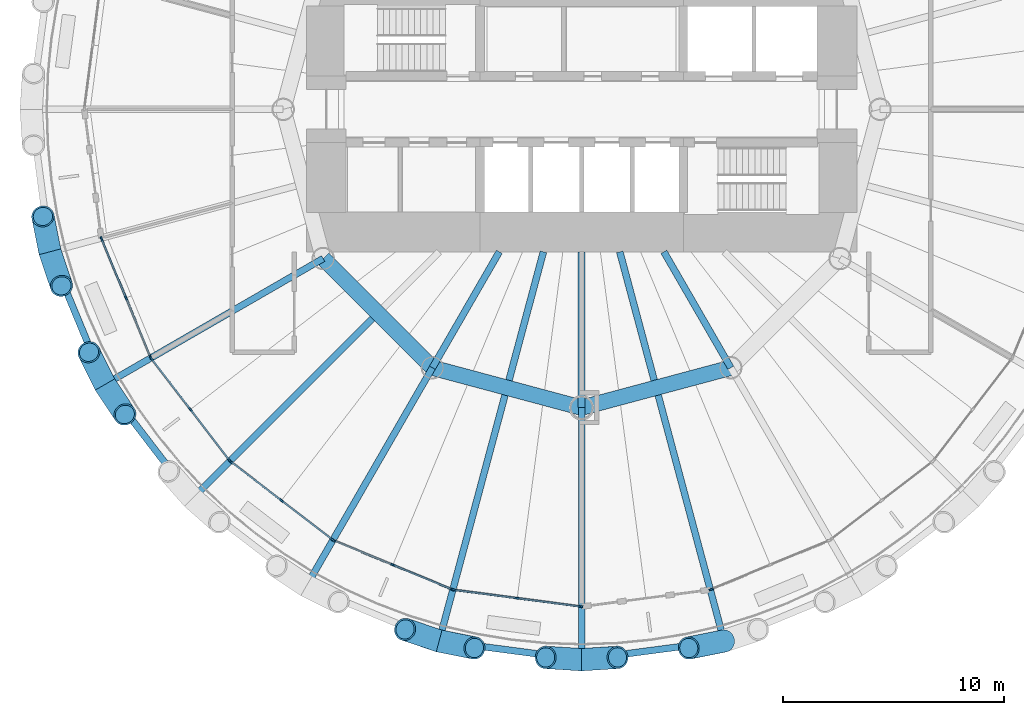
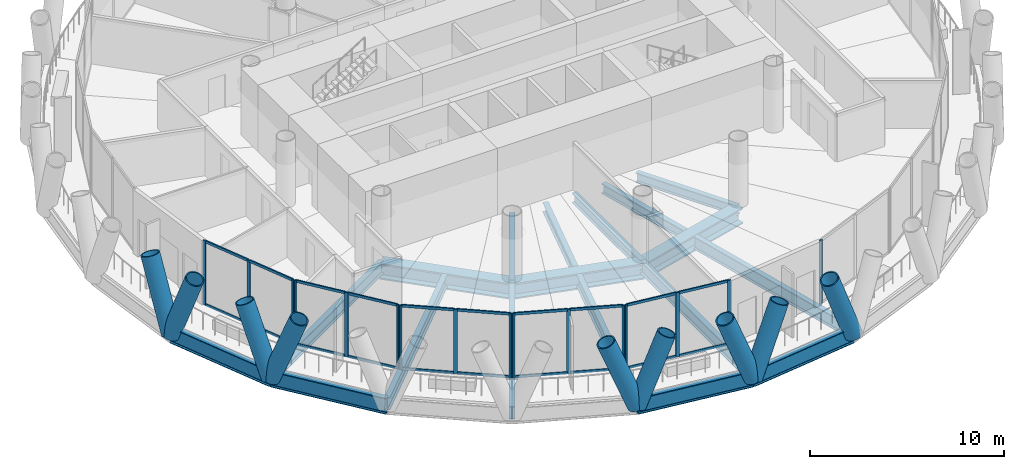
# One storey, part 2 of 15: 45 members, 18 beams, 6 elements without a shape of their own.
"""IFC4 building model written with IfcOpenShell, lengths in metres."""

from ifc_helpers import new_model, si_unit, direction, frame, origin, origin_2d, place, context, subcontext, project, spatial, rectangle, hollow_circle, i_section, extrude, material, material_profile, profile_set, type_object, element, aggregate, save


model = new_model("IFC4")

# Units and contexts
model_context = context("Model", 3, precision=1e-05, world=origin(), true_north=direction((0.0, 1.0)))
body_context = subcontext(model_context, "Body", "Model", "MODEL_VIEW")
ifc_project = project(units=[si_unit("LENGTHUNIT", "METRE"), si_unit("AREAUNIT", "SQUARE_METRE"), si_unit("VOLUMEUNIT", "CUBIC_METRE"), si_unit("PLANEANGLEUNIT", "RADIAN"), si_unit("MASSUNIT", "GRAM", prefix="KILO")], contexts=[model_context])

# Site, building, storey
site_placement = place(None, origin())
site = spatial("IfcSite", under=ifc_project, at=site_placement, CompositionType="ELEMENT")
building_placement = place(site_placement, origin())
building = spatial("IfcBuilding", under=site, at=building_placement, Name="Qaws Media Tower", CompositionType="ELEMENT")
storey_placement = place(building_placement, frame((0.0, 0.0, 143.60009765625)))
storey = spatial("IfcBuildingStorey", under=building, at=storey_placement, Name="L32", CompositionType="ELEMENT", Elevation=143.60009765625)

# Curtain wall, members
ifc_material_1 = material(Name="Aluminium and clear glass", Category="aluminium")
curtain_wall_type = type_object("IfcCurtainWallType", Name="Unitised curtain wall CW-B", PredefinedType="NOTDEFINED", material=ifc_material_1)
curtain_wall_1_placement = place(storey_placement, origin())
curtain_wall_1 = element("IfcCurtainWall", 1, at=curtain_wall_1_placement, inside=storey, type_object=curtain_wall_type, Name="CWB curtain wall L32-14", PredefinedType="NOTDEFINED")
ifc_material_2 = material(Name="Aluminium mullion", Category="aluminium")
ifc_material_profile_1 = material_profile(ifc_material_2, rectangle(XDim=0.080078125, YDim=0.199951171875, at=origin_2d()), Name="80x200")
ifc_profile_set_1 = profile_set([ifc_material_profile_1], Name="Aluminium mullion")
member_type_1 = type_object("IfcMemberType", Name="Curtain wall mullion 80x200", PredefinedType="MULLION", material=ifc_profile_set_1)
member_1_placement = place(storey_placement, frame((38.281982421875, 44.1396484375, 0.0), z_axis=(0.0, 0.0, 1.0), x_axis=(0.923879550892, 0.38268338799, 0.0)))
member_1 = element("IfcMember", 2, at=member_1_placement, type_object=member_type_1, Name="CWB mullion 1", PredefinedType="MULLION", context=body_context, shape_type="SweptSolid", body=[
    extrude(rectangle(XDim=0.080078125, YDim=0.199951171875, at=origin_2d()), origin(), (0.0, 0.0, 1.0), 4.039794921875),
])
member_2_placement = place(storey_placement, frame((39.390625, 41.46337890625, 0.0), z_axis=(0.0, 0.0, 1.0), x_axis=(0.923879550892, 0.38268338799, 0.0)))
member_2 = element("IfcMember", 3, at=member_2_placement, type_object=member_type_1, Name="CWB mullion 2", PredefinedType="MULLION", context=body_context, shape_type="SweptSolid", body=[
    extrude(rectangle(XDim=0.080078125, YDim=0.199951171875, at=origin_2d()), origin(), (0.0, 0.0, 1.0), 4.039794921875),
])
member_3_placement = place(storey_placement, frame((40.4990234375, 38.786865234375, 0.0), z_axis=(0.0, 0.0, 1.0), x_axis=(0.923879550892, 0.38268338799, 0.0)))
member_3 = element("IfcMember", 4, at=member_3_placement, type_object=member_type_1, Name="CWB mullion 3", PredefinedType="MULLION", context=body_context, shape_type="SweptSolid", body=[
    extrude(rectangle(XDim=0.080078125, YDim=0.199951171875, at=origin_2d()), origin(), (0.0, 0.0, 1.0), 4.039794921875),
])

curtain_wall_2_placement = place(storey_placement, origin())
curtain_wall_2 = element("IfcCurtainWall", 5, at=curtain_wall_2_placement, inside=storey, type_object=curtain_wall_type, Name="CWB curtain wall L32-15", PredefinedType="NOTDEFINED")
member_4_placement = place(storey_placement, frame((40.538818359375, 38.71826171875, 0.0), z_axis=(0.0, 0.0, 1.0), x_axis=(0.793353367693, 0.608761393298, 0.0)))
member_4 = element("IfcMember", 6, at=member_4_placement, type_object=member_type_1, Name="CWB mullion 1", PredefinedType="MULLION", context=body_context, shape_type="SweptSolid", body=[
    extrude(rectangle(XDim=0.080078125, YDim=0.199951171875, at=origin_2d()), origin(), (0.0, 0.0, 1.0), 4.039794921875),
])
member_5_placement = place(storey_placement, frame((42.30224609375, 36.420166015625, 0.0), z_axis=(0.0, 0.0, 1.0), x_axis=(0.793353367693, 0.608761393298, 0.0)))
member_5 = element("IfcMember", 7, at=member_5_placement, type_object=member_type_1, Name="CWB mullion 2", PredefinedType="MULLION", context=body_context, shape_type="SweptSolid", body=[
    extrude(rectangle(XDim=0.080078125, YDim=0.199951171875, at=origin_2d()), origin(), (0.0, 0.0, 1.0), 4.039794921875),
])
member_6_placement = place(storey_placement, frame((44.065673828125, 34.121826171875, 0.0), z_axis=(0.0, 0.0, 1.0), x_axis=(0.793353367693, 0.608761393298, 0.0)))
member_6 = element("IfcMember", 8, at=member_6_placement, type_object=member_type_1, Name="CWB mullion 3", PredefinedType="MULLION", context=body_context, shape_type="SweptSolid", body=[
    extrude(rectangle(XDim=0.080078125, YDim=0.199951171875, at=origin_2d()), origin(), (0.0, 0.0, 1.0), 4.039794921875),
])

curtain_wall_3_placement = place(storey_placement, origin())
curtain_wall_3 = element("IfcCurtainWall", 9, at=curtain_wall_3_placement, inside=storey, type_object=curtain_wall_type, Name="CWB curtain wall L32-16", PredefinedType="NOTDEFINED")
member_7_placement = place(storey_placement, frame((44.121826171875, 34.065673828125, 0.0), z_axis=(0.0, 0.0, 1.0), x_axis=(0.608761393298, 0.793353367693, 0.0)))
member_7 = element("IfcMember", 10, at=member_7_placement, type_object=member_type_1, Name="CWB mullion 1", PredefinedType="MULLION", context=body_context, shape_type="SweptSolid", body=[
    extrude(rectangle(XDim=0.080078125, YDim=0.199951171875, at=origin_2d()), origin(), (0.0, 0.0, 1.0), 4.039794921875),
])
member_8_placement = place(storey_placement, frame((46.420166015625, 32.30224609375, 0.0), z_axis=(0.0, 0.0, 1.0), x_axis=(0.608761393298, 0.793353367693, 0.0)))
member_8 = element("IfcMember", 11, at=member_8_placement, type_object=member_type_1, Name="CWB mullion 2", PredefinedType="MULLION", context=body_context, shape_type="SweptSolid", body=[
    extrude(rectangle(XDim=0.080078125, YDim=0.199951171875, at=origin_2d()), origin(), (0.0, 0.0, 1.0), 4.039794921875),
])
member_9_placement = place(storey_placement, frame((48.71826171875, 30.538818359375, 0.0), z_axis=(0.0, 0.0, 1.0), x_axis=(0.608761393298, 0.793353367693, 0.0)))
member_9 = element("IfcMember", 12, at=member_9_placement, type_object=member_type_1, Name="CWB mullion 3", PredefinedType="MULLION", context=body_context, shape_type="SweptSolid", body=[
    extrude(rectangle(XDim=0.080078125, YDim=0.199951171875, at=origin_2d()), origin(), (0.0, 0.0, 1.0), 4.039794921875),
])

curtain_wall_4_placement = place(storey_placement, origin())
curtain_wall_4 = element("IfcCurtainWall", 13, at=curtain_wall_4_placement, inside=storey, type_object=curtain_wall_type, Name="CWB curtain wall L32-17", PredefinedType="NOTDEFINED")
member_10_placement = place(storey_placement, frame((48.786865234375, 30.4990234375, 0.0), z_axis=(0.0, 0.0, 1.0), x_axis=(0.38268338799, 0.923879550892, 0.0)))
member_10 = element("IfcMember", 14, at=member_10_placement, type_object=member_type_1, Name="CWB mullion 1", PredefinedType="MULLION", context=body_context, shape_type="SweptSolid", body=[
    extrude(rectangle(XDim=0.080078125, YDim=0.199951171875, at=origin_2d()), origin(), (0.0, 0.0, 1.0), 4.039794921875),
])
member_11_placement = place(storey_placement, frame((51.46337890625, 29.390625, 0.0), z_axis=(0.0, 0.0, 1.0), x_axis=(0.38268338799, 0.923879550892, 0.0)))
member_11 = element("IfcMember", 15, at=member_11_placement, type_object=member_type_1, Name="CWB mullion 2", PredefinedType="MULLION", context=body_context, shape_type="SweptSolid", body=[
    extrude(rectangle(XDim=0.080078125, YDim=0.199951171875, at=origin_2d()), origin(), (0.0, 0.0, 1.0), 4.039794921875),
])
member_12_placement = place(storey_placement, frame((54.1396484375, 28.281982421875, 0.0), z_axis=(0.0, 0.0, 1.0), x_axis=(0.38268338799, 0.923879550892, 0.0)))
member_12 = element("IfcMember", 16, at=member_12_placement, type_object=member_type_1, Name="CWB mullion 3", PredefinedType="MULLION", context=body_context, shape_type="SweptSolid", body=[
    extrude(rectangle(XDim=0.080078125, YDim=0.199951171875, at=origin_2d()), origin(), (0.0, 0.0, 1.0), 4.039794921875),
])

curtain_wall_5_placement = place(storey_placement, origin())
curtain_wall_5 = element("IfcCurtainWall", 17, at=curtain_wall_5_placement, inside=storey, type_object=curtain_wall_type, Name="CWB curtain wall L32-18", PredefinedType="NOTDEFINED")
member_13_placement = place(storey_placement, frame((54.21630859375, 28.261474609375, 0.0), z_axis=(0.0, 0.0, 1.0), x_axis=(0.13052619684, 0.991444860766, 0.0)))
member_13 = element("IfcMember", 18, at=member_13_placement, type_object=member_type_1, Name="CWB mullion 1", PredefinedType="MULLION", context=body_context, shape_type="SweptSolid", body=[
    extrude(rectangle(XDim=0.080078125, YDim=0.199951171875, at=origin_2d()), origin(), (0.0, 0.0, 1.0), 4.039794921875),
])
member_14_placement = place(storey_placement, frame((57.08837890625, 27.88330078125, 0.0), z_axis=(0.0, 0.0, 1.0), x_axis=(0.13052619684, 0.991444860766, 0.0)))
member_14 = element("IfcMember", 19, at=member_14_placement, type_object=member_type_1, Name="CWB mullion 2", PredefinedType="MULLION", context=body_context, shape_type="SweptSolid", body=[
    extrude(rectangle(XDim=0.080078125, YDim=0.199951171875, at=origin_2d()), origin(), (0.0, 0.0, 1.0), 4.039794921875),
])
member_15_placement = place(storey_placement, frame((59.96044921875, 27.505126953125, 0.0), z_axis=(0.0, 0.0, 1.0), x_axis=(0.13052619684, 0.991444860766, 0.0)))
member_15 = element("IfcMember", 20, at=member_15_placement, type_object=member_type_1, Name="CWB mullion 3", PredefinedType="MULLION", context=body_context, shape_type="SweptSolid", body=[
    extrude(rectangle(XDim=0.080078125, YDim=0.199951171875, at=origin_2d()), origin(), (0.0, 0.0, 1.0), 4.039794921875),
])

# Curtain wall, member
curtain_wall_6_placement = place(storey_placement, origin())
curtain_wall_6 = element("IfcCurtainWall", 21, at=curtain_wall_6_placement, inside=storey, type_object=curtain_wall_type, Name="CWB curtain wall L32-20", PredefinedType="NOTDEFINED")
member_16_placement = place(storey_placement, frame((65.8603515625, 28.281982421875, 0.0), z_axis=(0.0, 0.0, 1.0), x_axis=(-0.38268338799, 0.923879550892, 0.0)))
member_16 = element("IfcMember", 22, at=member_16_placement, type_object=member_type_1, Name="CWB mullion 1", PredefinedType="MULLION", context=body_context, shape_type="SweptSolid", body=[
    extrude(rectangle(XDim=0.080078125, YDim=0.199951171875, at=origin_2d()), origin(), (0.0, 0.0, 1.0), 4.039794921875),
])
aggregate(curtain_wall_6, [member_16])

# Member
ifc_material_3 = material(Name="Aluminium transom", Category="aluminium")
ifc_material_profile_2 = material_profile(ifc_material_3, rectangle(XDim=0.080078125, YDim=0.159912109375, at=origin_2d()), Name="80x160")
ifc_profile_set_2 = profile_set([ifc_material_profile_2], Name="Aluminium transom")
member_type_2 = type_object("IfcMemberType", Name="Curtain wall transom 80x160", PredefinedType="USERDEFINED", material=ifc_profile_set_2)
member_17_placement = place(storey_placement, frame((38.29736328125, 44.1025390625, 0.039794921875), z_axis=(0.382675859369, -0.923882669313, 0.0), x_axis=(0.923882669313, 0.382675859369, 0.0)))
member_17 = element("IfcMember", 23, at=member_17_placement, type_object=member_type_2, Name="CWB transom 1.1", ObjectType="TRANSOM", PredefinedType="USERDEFINED", context=body_context, shape_type="SweptSolid", body=[
    extrude(rectangle(XDim=0.080078125, YDim=0.159912109375, at=origin_2d()), origin(), (0.0, 0.0, 1.0), 2.816650390625),
])

member_18_placement = place(storey_placement, frame((38.29736328125, 44.1025390625, 4.0), z_axis=(0.382675859369, -0.923882669313, 0.0), x_axis=(0.923882669313, 0.382675859369, 0.0)))
member_18 = element("IfcMember", 24, at=member_18_placement, type_object=member_type_2, Name="CWB transom 1.2", ObjectType="TRANSOM", PredefinedType="USERDEFINED", context=body_context, shape_type="SweptSolid", body=[
    extrude(rectangle(XDim=0.080078125, YDim=0.159912109375, at=origin_2d()), origin(), (0.0, 0.0, 1.0), 2.816650390625),
])

member_19_placement = place(storey_placement, frame((39.40576171875, 41.42626953125, 0.039794921875), z_axis=(0.382749839039, -0.92385202317, 0.0), x_axis=(0.92385202317, 0.382749839039, 0.0)))
member_19 = element("IfcMember", 25, at=member_19_placement, type_object=member_type_2, Name="CWB transom 2.1", ObjectType="TRANSOM", PredefinedType="USERDEFINED", context=body_context, shape_type="SweptSolid", body=[
    extrude(rectangle(XDim=0.080078125, YDim=0.159912109375, at=origin_2d()), origin(), (0.0, 0.0, 1.0), 2.81689453125),
])

member_20_placement = place(storey_placement, frame((39.40576171875, 41.42626953125, 4.0), z_axis=(0.382749839039, -0.92385202317, 0.0), x_axis=(0.92385202317, 0.382749839039, 0.0)))
member_20 = element("IfcMember", 26, at=member_20_placement, type_object=member_type_2, Name="CWB transom 2.2", ObjectType="TRANSOM", PredefinedType="USERDEFINED", context=body_context, shape_type="SweptSolid", body=[
    extrude(rectangle(XDim=0.080078125, YDim=0.159912109375, at=origin_2d()), origin(), (0.0, 0.0, 1.0), 2.81689453125),
])

aggregate(curtain_wall_1, [member_1, member_2, member_3, member_17, member_18, member_19, member_20])

member_21_placement = place(storey_placement, frame((40.563232421875, 38.6865234375, 0.039794921875), z_axis=(0.608742665806, -0.793367737451, 0.0), x_axis=(0.793367737451, 0.608742665806, 0.0)))
member_21 = element("IfcMember", 27, at=member_21_placement, type_object=member_type_2, Name="CWB transom 1.1", ObjectType="TRANSOM", PredefinedType="USERDEFINED", context=body_context, shape_type="SweptSolid", body=[
    extrude(rectangle(XDim=0.080078125, YDim=0.159912109375, at=origin_2d()), origin(), (0.0, 0.0, 1.0), 2.816650390625),
])

member_22_placement = place(storey_placement, frame((40.563232421875, 38.6865234375, 4.0), z_axis=(0.608742665806, -0.793367737451, 0.0), x_axis=(0.793367737451, 0.608742665806, 0.0)))
member_22 = element("IfcMember", 28, at=member_22_placement, type_object=member_type_2, Name="CWB transom 1.2", ObjectType="TRANSOM", PredefinedType="USERDEFINED", context=body_context, shape_type="SweptSolid", body=[
    extrude(rectangle(XDim=0.080078125, YDim=0.159912109375, at=origin_2d()), origin(), (0.0, 0.0, 1.0), 2.816650390625),
])

member_23_placement = place(storey_placement, frame((42.32666015625, 36.388427734375, 0.039794921875), z_axis=(0.608755360459, -0.793357996817, 0.0), x_axis=(0.793357996817, 0.608755360459, 0.0)))
member_23 = element("IfcMember", 29, at=member_23_placement, type_object=member_type_2, Name="CWB transom 2.1", ObjectType="TRANSOM", PredefinedType="USERDEFINED", context=body_context, shape_type="SweptSolid", body=[
    extrude(rectangle(XDim=0.080078125, YDim=0.159912109375, at=origin_2d()), origin(), (0.0, 0.0, 1.0), 2.81689453125),
])

member_24_placement = place(storey_placement, frame((42.32666015625, 36.388427734375, 4.0), z_axis=(0.608755360459, -0.793357996817, 0.0), x_axis=(0.793357996817, 0.608755360459, 0.0)))
member_24 = element("IfcMember", 30, at=member_24_placement, type_object=member_type_2, Name="CWB transom 2.2", ObjectType="TRANSOM", PredefinedType="USERDEFINED", context=body_context, shape_type="SweptSolid", body=[
    extrude(rectangle(XDim=0.080078125, YDim=0.159912109375, at=origin_2d()), origin(), (0.0, 0.0, 1.0), 2.81689453125),
])

aggregate(curtain_wall_2, [member_4, member_5, member_6, member_21, member_22, member_23, member_24])

member_25_placement = place(storey_placement, frame((44.153564453125, 34.04150390625, 0.039794921875), z_axis=(0.793357996817, -0.608755360459, 0.0), x_axis=(0.608755360459, 0.793357996817, 0.0)))
member_25 = element("IfcMember", 31, at=member_25_placement, type_object=member_type_2, Name="CWB transom 1.1", ObjectType="TRANSOM", PredefinedType="USERDEFINED", context=body_context, shape_type="SweptSolid", body=[
    extrude(rectangle(XDim=0.080078125, YDim=0.159912109375, at=origin_2d()), origin(), (0.0, 0.0, 1.0), 2.81689453125),
])

member_26_placement = place(storey_placement, frame((44.153564453125, 34.04150390625, 4.0), z_axis=(0.793357996817, -0.608755360459, 0.0), x_axis=(0.608755360459, 0.793357996817, 0.0)))
member_26 = element("IfcMember", 32, at=member_26_placement, type_object=member_type_2, Name="CWB transom 1.2", ObjectType="TRANSOM", PredefinedType="USERDEFINED", context=body_context, shape_type="SweptSolid", body=[
    extrude(rectangle(XDim=0.080078125, YDim=0.159912109375, at=origin_2d()), origin(), (0.0, 0.0, 1.0), 2.81689453125),
])

member_27_placement = place(storey_placement, frame((46.451904296875, 32.27783203125, 0.039794921875), z_axis=(0.793367737451, -0.608742665806, 0.0), x_axis=(0.608742665806, 0.793367737451, 0.0)))
member_27 = element("IfcMember", 33, at=member_27_placement, type_object=member_type_2, Name="CWB transom 2.1", ObjectType="TRANSOM", PredefinedType="USERDEFINED", context=body_context, shape_type="SweptSolid", body=[
    extrude(rectangle(XDim=0.080078125, YDim=0.159912109375, at=origin_2d()), origin(), (0.0, 0.0, 1.0), 2.816650390625),
])

member_28_placement = place(storey_placement, frame((46.451904296875, 32.27783203125, 4.0), z_axis=(0.793367737451, -0.608742665806, 0.0), x_axis=(0.608742665806, 0.793367737451, 0.0)))
member_28 = element("IfcMember", 34, at=member_28_placement, type_object=member_type_2, Name="CWB transom 2.2", ObjectType="TRANSOM", PredefinedType="USERDEFINED", context=body_context, shape_type="SweptSolid", body=[
    extrude(rectangle(XDim=0.080078125, YDim=0.159912109375, at=origin_2d()), origin(), (0.0, 0.0, 1.0), 2.816650390625),
])

aggregate(curtain_wall_3, [member_7, member_8, member_9, member_25, member_26, member_27, member_28])

member_29_placement = place(storey_placement, frame((48.823974609375, 30.48388671875, 0.039794921875), z_axis=(0.92385202317, -0.382749839039, 0.0), x_axis=(0.382749839039, 0.92385202317, 0.0)))
member_29 = element("IfcMember", 35, at=member_29_placement, type_object=member_type_2, Name="CWB transom 1.1", ObjectType="TRANSOM", PredefinedType="USERDEFINED", context=body_context, shape_type="SweptSolid", body=[
    extrude(rectangle(XDim=0.080078125, YDim=0.159912109375, at=origin_2d()), origin(), (0.0, 0.0, 1.0), 2.81689453125),
])

member_30_placement = place(storey_placement, frame((48.823974609375, 30.48388671875, 4.0), z_axis=(0.92385202317, -0.382749839039, 0.0), x_axis=(0.382749839039, 0.92385202317, 0.0)))
member_30 = element("IfcMember", 36, at=member_30_placement, type_object=member_type_2, Name="CWB transom 1.2", ObjectType="TRANSOM", PredefinedType="USERDEFINED", context=body_context, shape_type="SweptSolid", body=[
    extrude(rectangle(XDim=0.080078125, YDim=0.159912109375, at=origin_2d()), origin(), (0.0, 0.0, 1.0), 2.81689453125),
])

member_31_placement = place(storey_placement, frame((51.500244140625, 29.375244140625, 0.039794921875), z_axis=(0.923882669313, -0.382675859369, 0.0), x_axis=(0.382675859369, 0.923882669313, 0.0)))
member_31 = element("IfcMember", 37, at=member_31_placement, type_object=member_type_2, Name="CWB transom 2.1", ObjectType="TRANSOM", PredefinedType="USERDEFINED", context=body_context, shape_type="SweptSolid", body=[
    extrude(rectangle(XDim=0.080078125, YDim=0.159912109375, at=origin_2d()), origin(), (0.0, 0.0, 1.0), 2.816650390625),
])

member_32_placement = place(storey_placement, frame((51.500244140625, 29.375244140625, 4.0), z_axis=(0.923882669313, -0.382675859369, 0.0), x_axis=(0.382675859369, 0.923882669313, 0.0)))
member_32 = element("IfcMember", 38, at=member_32_placement, type_object=member_type_2, Name="CWB transom 2.2", ObjectType="TRANSOM", PredefinedType="USERDEFINED", context=body_context, shape_type="SweptSolid", body=[
    extrude(rectangle(XDim=0.080078125, YDim=0.159912109375, at=origin_2d()), origin(), (0.0, 0.0, 1.0), 2.816650390625),
])

aggregate(curtain_wall_4, [member_10, member_11, member_12, member_29, member_30, member_31, member_32])

member_33_placement = place(storey_placement, frame((54.255859375, 28.25634765625, 0.039794921875), z_axis=(0.991444557635, -0.130528499327, 0.0), x_axis=(0.130528499327, 0.991444557635, 0.0)))
member_33 = element("IfcMember", 39, at=member_33_placement, type_object=member_type_2, Name="CWB transom 1.1", ObjectType="TRANSOM", PredefinedType="USERDEFINED", context=body_context, shape_type="SweptSolid", body=[
    extrude(rectangle(XDim=0.080078125, YDim=0.159912109375, at=origin_2d()), origin(), (0.0, 0.0, 1.0), 2.81689453125),
])

member_34_placement = place(storey_placement, frame((54.255859375, 28.25634765625, 4.0), z_axis=(0.991444557635, -0.130528499327, 0.0), x_axis=(0.130528499327, 0.991444557635, 0.0)))
member_34 = element("IfcMember", 40, at=member_34_placement, type_object=member_type_2, Name="CWB transom 1.2", ObjectType="TRANSOM", PredefinedType="USERDEFINED", context=body_context, shape_type="SweptSolid", body=[
    extrude(rectangle(XDim=0.080078125, YDim=0.159912109375, at=origin_2d()), origin(), (0.0, 0.0, 1.0), 2.81689453125),
])

member_35_placement = place(storey_placement, frame((57.1279296875, 27.878173828125, 0.039794921875), z_axis=(0.991444557635, -0.130528499327, 0.0), x_axis=(0.130528499327, 0.991444557635, 0.0)))
member_35 = element("IfcMember", 41, at=member_35_placement, type_object=member_type_2, Name="CWB transom 2.1", ObjectType="TRANSOM", PredefinedType="USERDEFINED", context=body_context, shape_type="SweptSolid", body=[
    extrude(rectangle(XDim=0.080078125, YDim=0.159912109375, at=origin_2d()), origin(), (0.0, 0.0, 1.0), 2.81689453125),
])

member_36_placement = place(storey_placement, frame((57.1279296875, 27.878173828125, 4.0), z_axis=(0.991444557635, -0.130528499327, 0.0), x_axis=(0.130528499327, 0.991444557635, 0.0)))
member_36 = element("IfcMember", 42, at=member_36_placement, type_object=member_type_2, Name="CWB transom 2.2", ObjectType="TRANSOM", PredefinedType="USERDEFINED", context=body_context, shape_type="SweptSolid", body=[
    extrude(rectangle(XDim=0.080078125, YDim=0.159912109375, at=origin_2d()), origin(), (0.0, 0.0, 1.0), 2.81689453125),
])

aggregate(curtain_wall_5, [member_13, member_14, member_15, member_33, member_34, member_35, member_36])

# Members
ifc_material_4 = material(Name="Steel S460", Category="steel")
ifc_material_profile_3 = material_profile(ifc_material_4, hollow_circle(Radius=0.508056640625, WallThickness=0.070068359375, at=origin_2d()), Name="CHS 1016x70")
ifc_profile_set_3 = profile_set([ifc_material_profile_3], Name="Steel S460")
member_type_3 = type_object("IfcMemberType", Name="Diagrid member CHS 1016x70", PredefinedType="USERDEFINED", material=ifc_profile_set_3)
for number, where, z_axis, x_axis, name in (
    (43, (35.948486328125, 43.555419921875, -0.6640625), (0.115495093421, -0.342583052797, 0.932361375933), (0.947598400055, 0.319464039, 0.0), "DG3 diagrid L32 A14"),
    (44, (35.948486328125, 43.555419921875, -0.6640625), (-0.071269364926, 0.354449921381, 0.932355045493), (-0.980378361472, -0.197125006932, 0.0), "DG3 diagrid L32 B14"),
    (45, (38.43603515625, 37.550048828125, -0.6640625), (0.200207021213, -0.301015104444, 0.932366374101), (0.832649483652, 0.55380035877, 0.0), "DG3 diagrid L32 A15"),
    (46, (38.43603515625, 37.550048828125, -0.6640625), (-0.160588503711, 0.323886904548, 0.93236720531), (-0.895921364274, -0.444212684462, 0.0), "DG3 diagrid L32 B15"),
    (47, (53.555419921875, 25.948486328125, -0.6640625), (0.354449921381, -0.071269364926, 0.932355045493), (0.197125006932, 0.980378361472, 0.0), "DG3 diagrid L32 A18"),
    (48, (53.555419921875, 25.948486328125, -0.6640625), (-0.342583052797, 0.115495093421, 0.932361375933), (-0.319464039, -0.947598400055, 0.0), "DG3 diagrid L32 B18"),
    (49, (60.0, 25.10009765625, -0.6640625), (0.360794755945, 0.022871471685, 0.932364756876), (-0.063264929554, 0.997996767875, 0.0), "DG3 diagrid L32 A19"),
    (50, (60.0, 25.10009765625, -0.6640625), (-0.360794755945, 0.022871471685, 0.932364756876), (-0.063264929554, -0.997996767875, 0.0), "DG3 diagrid L32 B19"),
    (51, (66.444580078125, 25.948486328125, -0.6640625), (-0.354449921381, -0.071269364926, 0.932355045493), (0.197125006932, -0.980378361472, 0.0), "DG3 diagrid L32 B20"),
):
    element("IfcMember", number, at=place(storey_placement, frame(where, z_axis=z_axis, x_axis=x_axis)), inside=storey, type_object=member_type_3, Name=name, ObjectType="DIAGRID", PredefinedType="USERDEFINED", context=body_context, shape_type="SweptSolid", body=[
        extrude(hollow_circle(Radius=0.508056640625, WallThickness=0.070068359375, at=origin_2d()), origin(), (0.0, 0.0, 1.0), 4.504638671875),
    ])

# Beams
ifc_material_5 = material(Name="Steel S460", Category="steel")
ifc_material_profile_4 = material_profile(ifc_material_5, i_section(OverallWidth=0.302001953125, OverallDepth=1.008056640625, WebThickness=0.02099609375, FlangeThickness=0.0400390625, FilletRadius=0.030029296875, at=origin_2d()), Name="HE 1000 M")
ifc_profile_set_4 = profile_set([ifc_material_profile_4], Name="Steel S460")
beam_type_1 = type_object("IfcBeamType", Name="Edge ring beam HE 1000 M", PredefinedType="BEAM", material=ifc_profile_set_4)
for number, where, z_axis, x_axis, name in (
    (52, (35.948486328125, 43.555419921875, -0.6640625), (0.382689035976, -0.9238772114, 0.0), (0.9238772114, 0.382689035976, 0.0), "RB3 edge ring beam L32-14"),
    (53, (38.43603515625, 37.550048828125, -0.6640625), (0.608755567059, -0.793357838289, 0.0), (0.793357838289, 0.608755567059, 0.0), "RB3 edge ring beam L32-15"),
    (54, (53.555419921875, 25.948486328125, -0.6640625), (0.991445984009, -0.130517664675, 0.0), (0.130517664675, 0.991445984009, 0.0), "RB3 edge ring beam L32-18"),
    (55, (60.0, 25.10009765625, -0.6640625), (0.991445984009, 0.130517664675, 0.0), (-0.130517664675, 0.991445984009, 0.0), "RB3 edge ring beam L32-19"),
):
    element("IfcBeam", number, at=place(storey_placement, frame(where, z_axis=z_axis, x_axis=x_axis)), inside=storey, type_object=beam_type_1, Name=name, PredefinedType="BEAM", context=body_context, shape_type="SweptSolid", body=[
        extrude(i_section(OverallWidth=0.302001953125, OverallDepth=1.008056640625, WebThickness=0.02099609375, FlangeThickness=0.0400390625, FilletRadius=0.030029296875, at=origin_2d()), origin(), (0.0, 0.0, 1.0), 6.500244140625),
    ])
ifc_material_6 = material(Name="Steel S460", Category="steel")
ifc_material_profile_5 = material_profile(ifc_material_6, i_section(OverallWidth=0.699951171875, OverallDepth=1.0, WebThickness=0.034912109375, FlangeThickness=0.090087890625, at=origin_2d()), Name="PG 1000x700")
ifc_profile_set_5 = profile_set([ifc_material_profile_5], Name="Steel S460")
beam_type_2 = type_object("IfcBeamType", Name="Inner ring girder PG 1000x700", PredefinedType="BEAM", material=ifc_profile_set_5)
beam_1_placement = place(storey_placement, frame((48.30859375, 43.25, -0.66015625), z_axis=(0.707106781187, -0.707106781187, 0.0), x_axis=(0.707106781187, 0.707106781187, 0.0)))
element("IfcBeam", 56, at=beam_1_placement, inside=storey, type_object=beam_type_2, Name="B3 inner ring beam L32 I08-I09", PredefinedType="BEAM", context=body_context, shape_type="SweptSolid", body=[
    extrude(i_section(OverallWidth=0.699951171875, OverallDepth=1.0, WebThickness=0.034912109375, FlangeThickness=0.090087890625, at=origin_2d()), origin(), (0.0, 0.0, 1.0), 6.98828125),
])
for number, where, z_axis, x_axis, name in (
    (57, (53.25, 38.30859375, -0.66015625), (0.965928090778, -0.258810593767, 0.0), (0.258810593767, 0.965928090778, 0.0), "B3 inner ring beam L32 I09-I10"),
    (58, (60.0, 36.5, -0.66015625), (0.965928090778, 0.258810593767, 0.0), (-0.258810593767, 0.965928090778, 0.0), "B3 inner ring beam L32 I10-I11"),
):
    element("IfcBeam", number, at=place(storey_placement, frame(where, z_axis=z_axis, x_axis=x_axis)), inside=storey, type_object=beam_type_2, Name=name, PredefinedType="BEAM", context=body_context, shape_type="SweptSolid", body=[
        extrude(i_section(OverallWidth=0.699951171875, OverallDepth=1.0, WebThickness=0.034912109375, FlangeThickness=0.090087890625, at=origin_2d()), origin(), (0.0, 0.0, 1.0), 6.988037109375),
    ])
ifc_material_7 = material(Name="Steel S355", Category="steel")
ifc_material_profile_6 = material_profile(ifc_material_7, i_section(OverallWidth=0.304931640625, OverallDepth=0.6201171875, WebThickness=0.02099609375, FlangeThickness=0.0400390625, FilletRadius=0.027099609375, at=origin_2d()), Name="HE 600 M")
ifc_profile_set_6 = profile_set([ifc_material_profile_6], Name="Steel S355")
beam_type_3 = type_object("IfcBeamType", Name="Radial beam HE 600 M, core side", PredefinedType="BEAM", material=ifc_profile_set_6)
beam_2_placement = place(storey_placement, frame((56.276123046875, 43.550048828125, -0.47021484375), z_axis=(-0.499995978368, -0.866027725662, 0.0), x_axis=(0.866027725662, -0.499995978368, 0.0)))
element("IfcBeam", 59, at=beam_2_placement, inside=storey, type_object=beam_type_3, Name="B2 radial beam L32 17", PredefinedType="BEAM", context=body_context, shape_type="SweptSolid", body=[
    extrude(i_section(OverallWidth=0.304931640625, OverallDepth=0.6201171875, WebThickness=0.02099609375, FlangeThickness=0.0400390625, FilletRadius=0.027099609375, at=origin_2d()), origin(), (0.0, 0.0, 1.0), 6.05224609375),
])
beam_3_placement = place(storey_placement, frame((58.271728515625, 43.550048828125, -0.47021484375), z_axis=(-0.258819977482, -0.965925576458, 0.0), x_axis=(0.965925576458, -0.258819977482, 0.0)))
element("IfcBeam", 60, at=beam_3_placement, inside=storey, type_object=beam_type_3, Name="B2 radial beam L32 18", PredefinedType="BEAM", context=body_context, shape_type="SweptSolid", body=[
    extrude(i_section(OverallWidth=0.304931640625, OverallDepth=0.6201171875, WebThickness=0.02099609375, FlangeThickness=0.0400390625, FilletRadius=0.027099609375, at=origin_2d()), origin(), (0.0, 0.0, 1.0), 6.012451171875),
])
beam_4_placement = place(storey_placement, frame((60.0, 43.550048828125, -0.47021484375), z_axis=(0.0, -1.0, 0.0), x_axis=(1.0, 0.0, 0.0)))
element("IfcBeam", 61, at=beam_4_placement, inside=storey, type_object=beam_type_3, Name="B2 radial beam L32 19", PredefinedType="BEAM", context=body_context, shape_type="SweptSolid", body=[
    extrude(i_section(OverallWidth=0.304931640625, OverallDepth=0.6201171875, WebThickness=0.02099609375, FlangeThickness=0.0400390625, FilletRadius=0.027099609375, at=origin_2d()), origin(), (0.0, 0.0, 1.0), 7.050048828125),
])
beam_5_placement = place(storey_placement, frame((61.728271484375, 43.550048828125, -0.47021484375), z_axis=(0.258819977482, -0.965925576458, 0.0), x_axis=(0.965925576458, 0.258819977482, 0.0)))
element("IfcBeam", 62, at=beam_5_placement, inside=storey, type_object=beam_type_3, Name="B2 radial beam L32 20", PredefinedType="BEAM", context=body_context, shape_type="SweptSolid", body=[
    extrude(i_section(OverallWidth=0.304931640625, OverallDepth=0.6201171875, WebThickness=0.02099609375, FlangeThickness=0.0400390625, FilletRadius=0.027099609375, at=origin_2d()), origin(), (0.0, 0.0, 1.0), 6.012451171875),
])
beam_6_placement = place(storey_placement, frame((63.723876953125, 43.550048828125, -0.47021484375), z_axis=(0.499995978368, -0.866027725662, 0.0), x_axis=(0.866027725662, 0.499995978368, 0.0)))
element("IfcBeam", 63, at=beam_6_placement, inside=storey, type_object=beam_type_3, Name="B2 radial beam L32 21", PredefinedType="BEAM", context=body_context, shape_type="SweptSolid", body=[
    extrude(i_section(OverallWidth=0.304931640625, OverallDepth=0.6201171875, WebThickness=0.02099609375, FlangeThickness=0.0400390625, FilletRadius=0.027099609375, at=origin_2d()), origin(), (0.0, 0.0, 1.0), 6.05224609375),
])
ifc_material_8 = material(Name="Steel S355", Category="steel")
ifc_material_profile_7 = material_profile(ifc_material_8, i_section(OverallWidth=0.300048828125, OverallDepth=0.800048828125, WebThickness=0.017578125, FlangeThickness=0.032958984375, FilletRadius=0.030029296875, at=origin_2d()), Name="HE 800 B")
ifc_profile_set_7 = profile_set([ifc_material_profile_7], Name="Steel S355")
beam_type_4 = type_object("IfcBeamType", Name="Radial beam HE 800 B", PredefinedType="BEAM", material=ifc_profile_set_7)
beam_7_placement = place(storey_placement, frame((48.30859375, 43.25, -0.56005859375), z_axis=(-0.866024385424, -0.500001763848, 0.0), x_axis=(0.500001763848, -0.866024385424, 0.0)))
element("IfcBeam", 64, at=beam_7_placement, inside=storey, type_object=beam_type_4, Name="B1 radial beam L32 15", PredefinedType="BEAM", context=body_context, shape_type="SweptSolid", body=[
    extrude(i_section(OverallWidth=0.300048828125, OverallDepth=0.800048828125, WebThickness=0.017578125, FlangeThickness=0.032958984375, FilletRadius=0.030029296875, at=origin_2d()), origin(), (0.0, 0.0, 1.0), 11.39990234375),
])
beam_8_placement = place(storey_placement, frame((50.53173828125, 40.53173828125, -0.56005859375), z_axis=(-0.707106781187, -0.707106781187, 0.0), x_axis=(0.707106781187, -0.707106781187, 0.0)))
element("IfcBeam", 65, at=beam_8_placement, inside=storey, type_object=beam_type_4, Name="B1 radial beam L32 16", PredefinedType="BEAM", context=body_context, shape_type="SweptSolid", body=[
    extrude(i_section(OverallWidth=0.300048828125, OverallDepth=0.800048828125, WebThickness=0.017578125, FlangeThickness=0.032958984375, FilletRadius=0.030029296875, at=origin_2d()), origin(), (0.0, 0.0, 1.0), 11.509765625),
])
beam_9_placement = place(storey_placement, frame((53.25, 38.30859375, -0.56005859375), z_axis=(-0.500001763848, -0.866024385424, 0.0), x_axis=(0.866024385424, -0.500001763848, 0.0)))
element("IfcBeam", 66, at=beam_9_placement, inside=storey, type_object=beam_type_4, Name="B1 radial beam L32 17", PredefinedType="BEAM", context=body_context, shape_type="SweptSolid", body=[
    extrude(i_section(OverallWidth=0.300048828125, OverallDepth=0.800048828125, WebThickness=0.017578125, FlangeThickness=0.032958984375, FilletRadius=0.030029296875, at=origin_2d()), origin(), (0.0, 0.0, 1.0), 11.39990234375),
])
beam_10_placement = place(storey_placement, frame((56.534423828125, 37.066162109375, -0.56005859375), z_axis=(-0.258821611438, -0.965925138638, 0.0), x_axis=(0.965925138638, -0.258821611438, 0.0)))
element("IfcBeam", 67, at=beam_10_placement, inside=storey, type_object=beam_type_4, Name="B1 radial beam L32 18", PredefinedType="BEAM", context=body_context, shape_type="SweptSolid", body=[
    extrude(i_section(OverallWidth=0.300048828125, OverallDepth=0.800048828125, WebThickness=0.017578125, FlangeThickness=0.032958984375, FilletRadius=0.030029296875, at=origin_2d()), origin(), (0.0, 0.0, 1.0), 11.509765625),
])
beam_11_placement = place(storey_placement, frame((60.0, 36.5, -0.56005859375), z_axis=(0.0, -1.0, 0.0), x_axis=(1.0, 0.0, 0.0)))
element("IfcBeam", 68, at=beam_11_placement, inside=storey, type_object=beam_type_4, Name="B1 radial beam L32 19", PredefinedType="BEAM", context=body_context, shape_type="SweptSolid", body=[
    extrude(i_section(OverallWidth=0.300048828125, OverallDepth=0.800048828125, WebThickness=0.017578125, FlangeThickness=0.032958984375, FilletRadius=0.030029296875, at=origin_2d()), origin(), (0.0, 0.0, 1.0), 11.39990234375),
])
beam_12_placement = place(storey_placement, frame((63.465576171875, 37.066162109375, -0.56005859375), z_axis=(0.258821611438, -0.965925138638, 0.0), x_axis=(0.965925138638, 0.258821611438, 0.0)))
element("IfcBeam", 69, at=beam_12_placement, inside=storey, type_object=beam_type_4, Name="B1 radial beam L32 20", PredefinedType="BEAM", context=body_context, shape_type="SweptSolid", body=[
    extrude(i_section(OverallWidth=0.300048828125, OverallDepth=0.800048828125, WebThickness=0.017578125, FlangeThickness=0.032958984375, FilletRadius=0.030029296875, at=origin_2d()), origin(), (0.0, 0.0, 1.0), 11.509765625),
])

save(model, "model.ifc")
